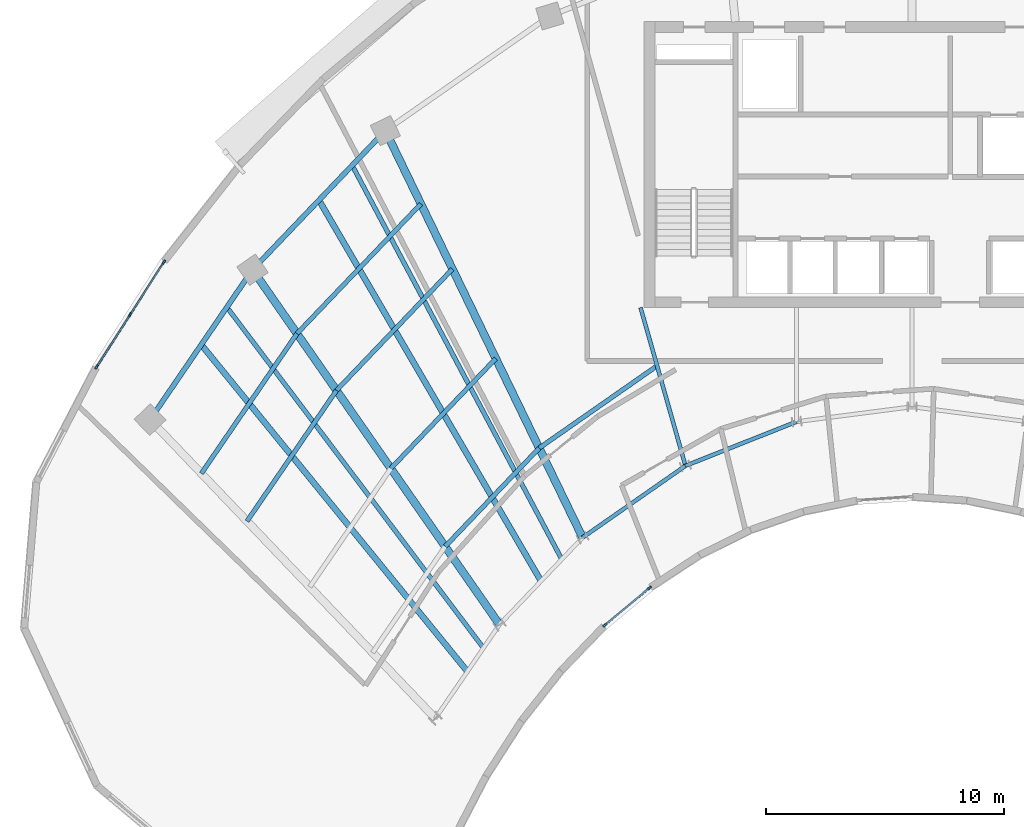
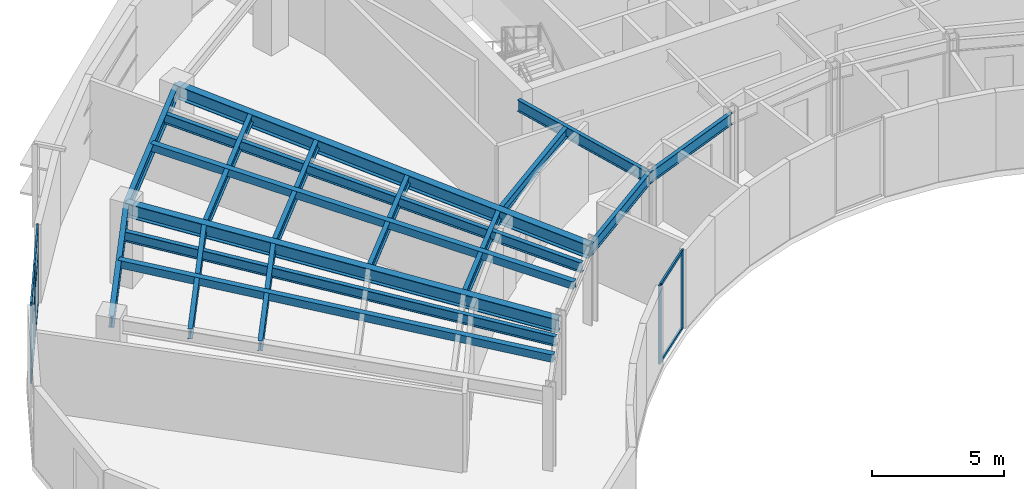
# One storey, part 2 of 13: 18 beams, 13 members, 2 elements without a shape of their own.
"""IFC4 building model written with IfcOpenShell, lengths in metres."""

from ifc_helpers import new_model, si_unit, direction, frame, origin, origin_2d, place, context, subcontext, project, spatial, rectangle, hollow_rectangle, i_section, extrude, source, transform, mapped, material, layer, layer_set, material_profile, profile_set, type_object, type_shapes, element, aggregate, save


model = new_model("IFC4")

# Units and contexts
model_context = context("Model", 3, precision=1e-05, world=origin(), true_north=direction((0.0, 1.0)))
body_context = subcontext(model_context, "Body", "Model", "MODEL_VIEW")
ifc_project = project(units=[si_unit("LENGTHUNIT", "METRE"), si_unit("AREAUNIT", "SQUARE_METRE"), si_unit("VOLUMEUNIT", "CUBIC_METRE"), si_unit("PLANEANGLEUNIT", "RADIAN"), si_unit("MASSUNIT", "GRAM", prefix="KILO")], contexts=[model_context])

# Site, building, storey
site_placement = place(None, origin())
site = spatial("IfcSite", under=ifc_project, at=site_placement, CompositionType="ELEMENT")
building_placement = place(site_placement, origin())
building = spatial("IfcBuilding", under=site, at=building_placement, Name="Breltana Convention Tower", CompositionType="ELEMENT")
storey_placement = place(building_placement, frame((0.0, 0.0, 223.5)))
storey = spatial("IfcBuildingStorey", under=building, at=storey_placement, Name="L54", CompositionType="ELEMENT", Elevation=223.5)

# Beams
ifc_material_1 = material(Name="Steel ASTM A992 Grade 50", Category="steel")
ifc_material_profile_1 = material_profile(ifc_material_1, i_section(OverallWidth=0.19091796875, OverallDepth=0.4599609375, WebThickness=0.010009765625, FlangeThickness=0.01611328125, at=origin_2d()), Name="W18X55")
ifc_profile_set_1 = profile_set([ifc_material_profile_1], Name="Steel ASTM A992 Grade 50")
beam_type_1 = type_object("IfcBeamType", Name="BM-JSG-07", PredefinedType="JOIST", material=ifc_profile_set_1)
shared_shape_1 = source(origin(), body_context, "Body", "SweptSolid", [
    extrude(i_section(OverallWidth=0.19091796875, OverallDepth=0.4599609375, WebThickness=0.010009765625, FlangeThickness=0.01611328125, at=origin_2d()), origin(), (0.0, 0.0, 1.0), 6.654541015625),
])
beam_1_placement = place(storey_placement, frame((20.0791015625, 51.23095703125, 3.409912109375), z_axis=(0.564482668195, 0.82544492082, 0.0), x_axis=(-0.82544492082, 0.564482668195, 0.0)))
element("IfcBeam", 1, at=beam_1_placement, inside=storey, type_object=beam_type_1, Name="L54 Composite Floor Joist 01.3", PredefinedType="JOIST", context=body_context, shape_type="MappedRepresentation", body=[
    mapped(shared_shape_1, transform((0.0, 0.0, 0.0), scale=1.0)),
])
shared_shape_2 = source(origin(), body_context, "Body", "SweptSolid", [
    extrude(i_section(OverallWidth=0.19091796875, OverallDepth=0.4599609375, WebThickness=0.010009765625, FlangeThickness=0.01611328125, at=origin_2d()), origin(), (0.0, 0.0, 1.0), 7.111328125),
])
beam_2_placement = place(storey_placement, frame((18.162841796875, 53.2373046875, 3.409912109375), z_axis=(0.564446356178, 0.825469751715, 0.0), x_axis=(-0.825469751715, 0.564446356178, 0.0)))
element("IfcBeam", 2, at=beam_2_placement, inside=storey, type_object=beam_type_1, Name="L54 Composite Floor Joist 01.4", PredefinedType="JOIST", context=body_context, shape_type="MappedRepresentation", body=[
    mapped(shared_shape_2, transform((0.0, 0.0, 0.0), scale=1.0)),
])
ifc_material_profile_2 = material_profile(ifc_material_1, hollow_rectangle(XDim=0.25, YDim=0.35009765625, WallThickness=0.011962890625, at=origin_2d()), Name="RHS350X250X12")
ifc_profile_set_2 = profile_set([ifc_material_profile_2], Name="Steel ASTM A992 Grade 50")
beam_type_2 = type_object("IfcBeamType", Name="BM-JSG-12", PredefinedType="JOIST", material=ifc_profile_set_2)
shared_shape_3 = source(origin(), body_context, "Body", "SweptSolid", [
    extrude(hollow_rectangle(XDim=0.25, YDim=0.35009765625, WallThickness=0.011962890625, at=origin_2d()), origin(), (0.0, 0.0, 1.0), 17.691650390625),
])
type_shapes(beam_type_2, [shared_shape_3])
beam_3_placement = place(storey_placement, frame((29.330810546875, 44.923583984375, 3.465087890625), z_axis=(-0.631476958478, 0.775394642044, 0.0), x_axis=(-0.775394642044, -0.631476958478, 0.0)))
element("IfcBeam", 3, at=beam_3_placement, inside=storey, type_object=beam_type_2, Name="L54 Mid-Bay Radial Trimmer 01", PredefinedType="JOIST", context=body_context, shape_type="MappedRepresentation", body=[
    mapped(shared_shape_3, transform((0.0, 0.0, 0.0), scale=1.0)),
])
shared_shape_4 = source(origin(), body_context, "Body", "SweptSolid", [
    extrude(i_section(OverallWidth=0.19091796875, OverallDepth=0.4599609375, WebThickness=0.010009765625, FlangeThickness=0.01611328125, at=origin_2d()), origin(), (0.0, 0.0, 1.0), 17.9072265625),
])
beam_4_placement = place(storey_placement, frame((30.00390625, 45.907958984375, 3.409912109375), z_axis=(-0.601382105028, 0.798961553363, 0.0), x_axis=(-0.798961553363, -0.601382105028, 0.0)))
element("IfcBeam", 4, at=beam_4_placement, inside=storey, type_object=beam_type_1, Name="L54 Quarter-Bay Radial Trimmer 01", PredefinedType="JOIST", context=body_context, shape_type="MappedRepresentation", body=[
    mapped(shared_shape_4, transform((0.0, 0.0, 0.0), scale=1.0)),
])
shared_shape_5 = source(origin(), body_context, "Body", "SweptSolid", [
    extrude(i_section(OverallWidth=0.19091796875, OverallDepth=0.4599609375, WebThickness=0.010009765625, FlangeThickness=0.01611328125, at=origin_2d()), origin(), (0.0, 0.0, 1.0), 5.716064453125),
])
beam_5_placement = place(storey_placement, frame((28.396484375, 50.169677734375, 3.409912109375), z_axis=(0.690756060045, 0.723087868458, 0.0), x_axis=(-0.723087868458, 0.690756060045, 0.0)))
element("IfcBeam", 5, at=beam_5_placement, inside=storey, type_object=beam_type_1, Name="L54 Composite Floor Joist 02.1", PredefinedType="JOIST", context=body_context, shape_type="MappedRepresentation", body=[
    mapped(shared_shape_5, transform((0.0, 0.0, 0.0), scale=1.0)),
])
shared_shape_6 = source(origin(), body_context, "Body", "SweptSolid", [
    extrude(i_section(OverallWidth=0.19091796875, OverallDepth=0.4599609375, WebThickness=0.010009765625, FlangeThickness=0.01611328125, at=origin_2d()), origin(), (0.0, 0.0, 1.0), 6.381103515625),
])
beam_6_placement = place(storey_placement, frame((26.115966796875, 53.44677734375, 3.409912109375), z_axis=(0.690737768889, 0.723105341309, 0.0), x_axis=(-0.723105341309, 0.690737768889, 0.0)))
element("IfcBeam", 6, at=beam_6_placement, inside=storey, type_object=beam_type_1, Name="L54 Composite Floor Joist 02.2", PredefinedType="JOIST", context=body_context, shape_type="MappedRepresentation", body=[
    mapped(shared_shape_6, transform((0.0, 0.0, 0.0), scale=1.0)),
])
shared_shape_7 = source(origin(), body_context, "Body", "SweptSolid", [
    extrude(i_section(OverallWidth=0.19091796875, OverallDepth=0.4599609375, WebThickness=0.010009765625, FlangeThickness=0.01611328125, at=origin_2d()), origin(), (0.0, 0.0, 1.0), 7.046142578125),
])
beam_7_placement = place(storey_placement, frame((23.83544921875, 56.723876953125, 3.409912109375), z_axis=(0.690722929904, 0.723119515782, 0.0), x_axis=(-0.723119515782, 0.690722929904, 0.0)))
element("IfcBeam", 7, at=beam_7_placement, inside=storey, type_object=beam_type_1, Name="L54 Composite Floor Joist 02.3", PredefinedType="JOIST", context=body_context, shape_type="MappedRepresentation", body=[
    mapped(shared_shape_7, transform((0.0, 0.0, 0.0), scale=1.0)),
])
shared_shape_8 = source(origin(), body_context, "Body", "SweptSolid", [
    extrude(i_section(OverallWidth=0.19091796875, OverallDepth=0.4599609375, WebThickness=0.010009765625, FlangeThickness=0.01611328125, at=origin_2d()), origin(), (0.0, 0.0, 1.0), 7.529541015625),
])
beam_8_placement = place(storey_placement, frame((22.1767578125, 59.107421875, 3.409912109375), z_axis=(0.690725562031, 0.723117001568, 0.0), x_axis=(-0.723117001568, 0.690725562031, 0.0)))
element("IfcBeam", 8, at=beam_8_placement, inside=storey, type_object=beam_type_1, Name="L54 Composite Floor Joist 02.4", PredefinedType="JOIST", context=body_context, shape_type="MappedRepresentation", body=[
    mapped(shared_shape_8, transform((0.0, 0.0, 0.0), scale=1.0)),
])
shared_shape_9 = source(origin(), body_context, "Body", "SweptSolid", [
    extrude(hollow_rectangle(XDim=0.25, YDim=0.35009765625, WallThickness=0.011962890625, at=origin_2d()), origin(), (0.0, 0.0, 1.0), 18.50830078125),
])
beam_9_placement = place(storey_placement, frame((32.421630859375, 48.71875, 3.465087890625), z_axis=(-0.50368319637, 0.863888440537, 0.0), x_axis=(-0.863888440537, -0.50368319637, 0.0)))
element("IfcBeam", 9, at=beam_9_placement, inside=storey, type_object=beam_type_2, Name="L54 Mid-Bay Radial Trimmer 02", PredefinedType="JOIST", context=body_context, shape_type="MappedRepresentation", body=[
    mapped(shared_shape_9, transform((0.0, 0.0, 0.0), scale=1.0)),
])
shared_shape_10 = source(origin(), body_context, "Body", "SweptSolid", [
    extrude(i_section(OverallWidth=0.19091796875, OverallDepth=0.4599609375, WebThickness=0.010009765625, FlangeThickness=0.01611328125, at=origin_2d()), origin(), (0.0, 0.0, 1.0), 18.731689453125),
])
beam_10_placement = place(storey_placement, frame((33.2939453125, 49.6318359375, 3.409912109375), z_axis=(-0.469820250451, 0.882762104004, 0.0), x_axis=(-0.882762104004, -0.469820250451, 0.0)))
element("IfcBeam", 10, at=beam_10_placement, inside=storey, type_object=beam_type_1, Name="L54 Quarter-Bay Radial Trimmer 02", PredefinedType="JOIST", context=body_context, shape_type="MappedRepresentation", body=[
    mapped(shared_shape_10, transform((0.0, 0.0, 0.0), scale=1.0)),
])
shared_shape_11 = source(origin(), body_context, "Body", "SweptSolid", [
    extrude(i_section(OverallWidth=0.19091796875, OverallDepth=0.4599609375, WebThickness=0.010009765625, FlangeThickness=0.01611328125, at=origin_2d()), origin(), (0.0, 0.0, 1.0), 5.959228515625),
])
beam_11_placement = place(storey_placement, frame((32.344970703125, 54.302978515625, 3.409912109375), z_axis=(0.820160485262, 0.572133531979, 0.0), x_axis=(-0.572133531979, 0.820160485262, 0.0)))
element("IfcBeam", 11, at=beam_11_placement, inside=storey, type_object=beam_type_1, Name="L54 Composite Floor Joist 03.1", PredefinedType="JOIST", context=body_context, shape_type="MappedRepresentation", body=[
    mapped(shared_shape_11, transform((0.0, 0.0, 0.0), scale=1.0)),
])
ifc_material_profile_3 = material_profile(ifc_material_1, i_section(OverallWidth=0.166015625, OverallDepth=0.534912109375, WebThickness=0.01025390625, FlangeThickness=0.0166015625, at=origin_2d()), Name="W21X57")
ifc_profile_set_3 = profile_set([ifc_material_profile_3], Name="Steel ASTM A992 Grade 50")
beam_type_3 = type_object("IfcBeamType", Name="BM-BM-W21X57", PredefinedType="BEAM", material=ifc_profile_set_3)
shared_shape_12 = source(origin(), body_context, "Body", "SweptSolid", [
    extrude(i_section(OverallWidth=0.166015625, OverallDepth=0.534912109375, WebThickness=0.01025390625, FlangeThickness=0.0166015625, at=origin_2d()), origin(), (0.0, 0.0, 1.0), 6.904541015625),
])
type_shapes(beam_type_3, [shared_shape_12])
beam_12_placement = place(storey_placement, frame((36.60009765625, 60.199951171875, 3.37255859375), z_axis=(0.273006781054, -0.962012108811, 0.0), x_axis=(0.962012108811, 0.273006781054, 0.0)))
element("IfcBeam", 12, at=beam_12_placement, inside=storey, type_object=beam_type_3, Name="L54 South Core Tie Girder R04", PredefinedType="BEAM", context=body_context, shape_type="MappedRepresentation", body=[
    mapped(shared_shape_12, transform((0.0, 0.0, 0.0), scale=1.0)),
])
shared_shape_13 = source(origin(), body_context, "Body", "SweptSolid", [
    extrude(i_section(OverallWidth=0.166015625, OverallDepth=0.534912109375, WebThickness=0.01025390625, FlangeThickness=0.0166015625, at=origin_2d()), origin(), (0.0, 0.0, 1.0), 5.265869140625),
])
beam_13_placement = place(storey_placement, frame((34.166259765625, 50.544921875, 3.37255859375), z_axis=(0.820167429517, 0.572123577176, 0.0), x_axis=(-0.572123577176, 0.820167429517, 0.0)))
element("IfcBeam", 13, at=beam_13_placement, inside=storey, type_object=beam_type_3, Name="L54 Inner Ring Beam 03", PredefinedType="BEAM", context=body_context, shape_type="MappedRepresentation", body=[
    mapped(shared_shape_13, transform((0.0, 0.0, 0.0), scale=1.0)),
])
shared_shape_14 = source(origin(), body_context, "Body", "SweptSolid", [
    extrude(i_section(OverallWidth=0.166015625, OverallDepth=0.534912109375, WebThickness=0.01025390625, FlangeThickness=0.0166015625, at=origin_2d()), origin(), (0.0, 0.0, 1.0), 5.022705078125),
])
beam_14_placement = place(storey_placement, frame((38.485107421875, 53.5576171875, 3.37255859375), z_axis=(0.929458966248, 0.368925507469, 0.0), x_axis=(-0.368925507469, 0.929458966248, 0.0)))
element("IfcBeam", 14, at=beam_14_placement, inside=storey, type_object=beam_type_3, Name="L54 Inner Ring Beam 04", PredefinedType="BEAM", context=body_context, shape_type="MappedRepresentation", body=[
    mapped(shared_shape_14, transform((0.0, 0.0, 0.0), scale=1.0)),
])
ifc_material_profile_4 = material_profile(ifc_material_1, i_section(OverallWidth=0.326904296875, OverallDepth=0.6220703125, WebThickness=0.015380859375, FlangeThickness=0.0244140625, at=origin_2d()), Name="W24X131")
ifc_profile_set_4 = profile_set([ifc_material_profile_4], Name="Steel ASTM A992 Grade 50")
beam_type_4 = type_object("IfcBeamType", Name="BM-RG-W24X131", PredefinedType="USERDEFINED", material=ifc_profile_set_4)
shared_shape_15 = source(origin(), body_context, "Body", "SweptSolid", [
    extrude(i_section(OverallWidth=0.326904296875, OverallDepth=0.6220703125, WebThickness=0.015380859375, FlangeThickness=0.0244140625, at=origin_2d()), origin(), (0.0, 0.0, 1.0), 18.1484375),
])
beam_15_placement = place(storey_placement, frame((30.67724609375, 46.892333984375, 3.3291015625), z_axis=(-0.571207556098, 0.820805657788, 0.0), x_axis=(-0.820805657788, -0.571207556098, 0.0)))
element("IfcBeam", 15, at=beam_15_placement, inside=storey, type_object=beam_type_4, Name="L54 Radial Floor Girder R02", ObjectType="GIRDER", PredefinedType="USERDEFINED", context=body_context, shape_type="MappedRepresentation", body=[
    mapped(shared_shape_15, transform((0.0, 0.0, 0.0), scale=1.0)),
])
shared_shape_16 = source(origin(), body_context, "Body", "SweptSolid", [
    extrude(i_section(OverallWidth=0.326904296875, OverallDepth=0.6220703125, WebThickness=0.015380859375, FlangeThickness=0.0244140625, at=origin_2d()), origin(), (0.0, 0.0, 1.0), 18.982421875),
])
beam_16_placement = place(storey_placement, frame((34.166259765625, 50.544921875, 3.3291015625), z_axis=(-0.436118560343, 0.89988921614, 0.0), x_axis=(-0.89988921614, -0.436118560343, 0.0)))
element("IfcBeam", 16, at=beam_16_placement, inside=storey, type_object=beam_type_4, Name="L54 Radial Floor Girder R03", ObjectType="GIRDER", PredefinedType="USERDEFINED", context=body_context, shape_type="MappedRepresentation", body=[
    mapped(shared_shape_16, transform((0.0, 0.0, 0.0), scale=1.0)),
])
ifc_material_profile_5 = material_profile(ifc_material_1, i_section(OverallWidth=0.214111328125, OverallDepth=0.549072265625, WebThickness=0.0146484375, FlangeThickness=0.023681640625, at=origin_2d()), Name="W21X93")
ifc_profile_set_5 = profile_set([ifc_material_profile_5], Name="Steel ASTM A992 Grade 50")
beam_type_5 = type_object("IfcBeamType", Name="BM-SP-W21X93", PredefinedType="SPANDREL", material=ifc_profile_set_5)
shared_shape_17 = source(origin(), body_context, "Body", "SweptSolid", [
    extrude(i_section(OverallWidth=0.214111328125, OverallDepth=0.549072265625, WebThickness=0.0146484375, FlangeThickness=0.023681640625, at=origin_2d()), origin(), (0.0, 0.0, 1.0), 7.625),
])
type_shapes(beam_type_5, [shared_shape_17])
beam_17_placement = place(storey_placement, frame((16.0068359375, 55.494384765625, 3.365478515625), z_axis=(0.564452031902, 0.825465870694, 0.0), x_axis=(-0.825465870694, 0.564452031902, 0.0)))
element("IfcBeam", 17, at=beam_17_placement, inside=storey, type_object=beam_type_5, Name="L54 Outer Spandrel Beam 01", PredefinedType="SPANDREL", context=body_context, shape_type="MappedRepresentation", body=[
    mapped(shared_shape_17, transform((0.0, 0.0, 0.0), scale=1.0)),
])
shared_shape_18 = source(origin(), body_context, "Body", "SweptSolid", [
    extrude(i_section(OverallWidth=0.214111328125, OverallDepth=0.549072265625, WebThickness=0.0146484375, FlangeThickness=0.023681640625, at=origin_2d()), origin(), (0.0, 0.0, 1.0), 8.073974609375),
])
beam_18_placement = place(storey_placement, frame((20.310791015625, 61.78857421875, 3.365478515625), z_axis=(0.69072885448, 0.723113856588, 0.0), x_axis=(-0.723113856588, 0.69072885448, 0.0)))
element("IfcBeam", 18, at=beam_18_placement, inside=storey, type_object=beam_type_5, Name="L54 Outer Spandrel Beam 02", PredefinedType="SPANDREL", context=body_context, shape_type="MappedRepresentation", body=[
    mapped(shared_shape_18, transform((0.0, 0.0, 0.0), scale=1.0)),
])

# Curtain wall, members
ifc_material_2 = material(Name="Aluminium Anodised Bronze Frame", Category="aluminium")
ifc_layer_1 = layer(ifc_material_2, 0.18994140625, Name="Aluminium Anodised Bronze Frame")
ifc_layer_set_1 = layer_set([ifc_layer_1], Name="Aluminium Anodised Bronze Frame")
curtain_wall_type_1 = type_object("IfcCurtainWallType", Name="CW-SYS-1", PredefinedType="NOTDEFINED", material=ifc_layer_set_1)
curtain_wall_1_placement = place(storey_placement, origin())
curtain_wall_1 = element("IfcCurtainWall", 19, at=curtain_wall_1_placement, inside=storey, type_object=curtain_wall_type_1, Name="L54 inner south-court glazing 5", PredefinedType="NOTDEFINED")
ifc_material_3 = material(Name="Aluminium Anodised Bronze", Category="aluminium")
ifc_material_profile_6 = material_profile(ifc_material_3, rectangle(XDim=0.080078125, YDim=0.139892578125, at=origin_2d()), Name="CWT-80X140")
ifc_profile_set_6 = profile_set([ifc_material_profile_6], Name="Aluminium Anodised Bronze")
member_type_1 = type_object("IfcMemberType", Name="CWT-140", PredefinedType="USERDEFINED", material=ifc_profile_set_6)
shared_shape_19 = source(origin(), body_context, "Body", "SweptSolid", [
    extrude(rectangle(XDim=0.080078125, YDim=0.139892578125, at=origin_2d()), origin(), (0.0, 0.0, 1.0), 2.351318359375),
])
member_1_placement = place(storey_placement, frame((36.939208984375, 48.398193359375, 0.0400390625), z_axis=(-0.767931836883, -0.640531571354, 0.0), x_axis=(0.640531571354, -0.767931836883, 0.0)))
member_1 = element("IfcMember", 20, at=member_1_placement, type_object=member_type_1, Name="CW-01 transom 1.1", ObjectType="TRANSOM", PredefinedType="USERDEFINED", context=body_context, shape_type="MappedRepresentation", body=[
    mapped(shared_shape_19, transform((0.0, 0.0, 0.0), scale=1.0)),
])
member_2_placement = place(storey_placement, frame((36.939208984375, 48.398193359375, 3.60009765625), z_axis=(-0.767931836883, -0.640531571354, 0.0), x_axis=(0.640531571354, -0.767931836883, 0.0)))
member_2 = element("IfcMember", 21, at=member_2_placement, type_object=member_type_1, Name="CW-01 transom 1.2", ObjectType="TRANSOM", PredefinedType="USERDEFINED", context=body_context, shape_type="MappedRepresentation", body=[
    mapped(shared_shape_19, transform((0.0, 0.0, 0.0), scale=1.0)),
])
ifc_material_profile_7 = material_profile(ifc_material_3, rectangle(XDim=0.080078125, YDim=0.199951171875, at=origin_2d()), Name="CWM-80X200")
ifc_profile_set_7 = profile_set([ifc_material_profile_7], Name="Aluminium Anodised Bronze")
member_type_2 = type_object("IfcMemberType", Name="CWM-200", PredefinedType="MULLION", material=ifc_profile_set_7)
shared_shape_20 = source(origin(), body_context, "Body", "SweptSolid", [
    extrude(rectangle(XDim=0.080078125, YDim=0.199951171875, at=origin_2d()), origin(), (0.0, 0.0, 1.0), 3.639892578125),
])
member_3_placement = place(storey_placement, frame((36.969970703125, 48.423828125, 0.0), z_axis=(0.0, 0.0, 1.0), x_axis=(0.640540750309, -0.767924180628, 0.0)))
member_3 = element("IfcMember", 22, at=member_3_placement, type_object=member_type_2, Name="CW-01 mullion 1", PredefinedType="MULLION", context=body_context, shape_type="MappedRepresentation", body=[
    mapped(shared_shape_20, transform((0.0, 0.0, 0.0), scale=1.0)),
])
member_4_placement = place(storey_placement, frame((35.10302734375, 46.866455078125, 0.0), z_axis=(0.0, 0.0, 1.0), x_axis=(0.640540750309, -0.767924180628, 0.0)))
member_4 = element("IfcMember", 23, at=member_4_placement, type_object=member_type_2, Name="CW-01 mullion 2", PredefinedType="MULLION", context=body_context, shape_type="MappedRepresentation", body=[
    mapped(shared_shape_20, transform((0.0, 0.0, 0.0), scale=1.0)),
])
aggregate(curtain_wall_1, [member_3, member_4, member_1, member_2])

ifc_layer_2 = layer(ifc_material_2, 0.219970703125, Name="Aluminium Anodised Bronze Frame")
ifc_layer_set_2 = layer_set([ifc_layer_2], Name="Aluminium Anodised Bronze Frame")
curtain_wall_type_2 = type_object("IfcCurtainWallType", Name="CW-SYS-4", PredefinedType="NOTDEFINED", material=ifc_layer_set_2)
curtain_wall_2_placement = place(storey_placement, origin())
curtain_wall_2 = element("IfcCurtainWall", 24, at=curtain_wall_2_placement, inside=storey, type_object=curtain_wall_type_2, Name="L54 outer double-skin inner glazing 1", PredefinedType="NOTDEFINED")
member_5_placement = place(storey_placement, frame((13.76611328125, 57.710693359375, 0.0), z_axis=(0.0, 0.0, 1.0), x_axis=(-0.84154835428, 0.540181791075, 0.0)))
member_5 = element("IfcMember", 25, at=member_5_placement, type_object=member_type_2, Name="CW-04 mullion 1", PredefinedType="MULLION", context=body_context, shape_type="MappedRepresentation", body=[
    mapped(shared_shape_20, transform((0.0, 0.0, 0.0), scale=1.0)),
])
member_6_placement = place(storey_placement, frame((15.1767578125, 59.908203125, 0.0), z_axis=(0.0, 0.0, 1.0), x_axis=(-0.84154835428, 0.540181791075, 0.0)))
member_6 = element("IfcMember", 26, at=member_6_placement, type_object=member_type_2, Name="CW-04 mullion 2", PredefinedType="MULLION", context=body_context, shape_type="MappedRepresentation", body=[
    mapped(shared_shape_20, transform((0.0, 0.0, 0.0), scale=1.0)),
])
member_7_placement = place(storey_placement, frame((16.58740234375, 62.10595703125, 0.0), z_axis=(0.0, 0.0, 1.0), x_axis=(-0.84154835428, 0.540181791075, 0.0)))
member_7 = element("IfcMember", 27, at=member_7_placement, type_object=member_type_2, Name="CW-04 mullion 3", PredefinedType="MULLION", context=body_context, shape_type="MappedRepresentation", body=[
    mapped(shared_shape_20, transform((0.0, 0.0, 0.0), scale=1.0)),
])
ifc_material_profile_8 = material_profile(ifc_material_3, rectangle(XDim=0.070068359375, YDim=0.1201171875, at=origin_2d()), Name="CWT-70X120")
ifc_profile_set_8 = profile_set([ifc_material_profile_8], Name="Aluminium Anodised Bronze")
member_type_3 = type_object("IfcMemberType", Name="CWT-120", PredefinedType="USERDEFINED", material=ifc_profile_set_8)
shared_shape_21 = source(origin(), body_context, "Body", "SweptSolid", [
    extrude(rectangle(XDim=0.070068359375, YDim=0.1201171875, at=origin_2d()), origin(), (0.0, 0.0, 1.0), 2.531494140625),
])
member_8_placement = place(storey_placement, frame((13.787841796875, 57.744384765625, 0.034912109375), z_axis=(0.540172540617, 0.841554291988, 0.0), x_axis=(-0.841554291988, 0.540172540617, 0.0)))
member_8 = element("IfcMember", 28, at=member_8_placement, type_object=member_type_3, Name="CW-04 transom 1.1", ObjectType="TRANSOM", PredefinedType="USERDEFINED", context=body_context, shape_type="MappedRepresentation", body=[
    mapped(shared_shape_21, transform((0.0, 0.0, 0.0), scale=1.0)),
])
member_9_placement = place(storey_placement, frame((13.787841796875, 57.744384765625, 2.365966796875), z_axis=(0.540172540617, 0.841554291988, 0.0), x_axis=(-0.841554291988, 0.540172540617, 0.0)))
member_9 = element("IfcMember", 29, at=member_9_placement, type_object=member_type_3, Name="CW-04 transom 1.2", ObjectType="TRANSOM", PredefinedType="USERDEFINED", context=body_context, shape_type="MappedRepresentation", body=[
    mapped(shared_shape_21, transform((0.0, 0.0, 0.0), scale=1.0)),
])
member_10_placement = place(storey_placement, frame((13.787841796875, 57.744384765625, 3.60498046875), z_axis=(0.540172540617, 0.841554291988, 0.0), x_axis=(-0.841554291988, 0.540172540617, 0.0)))
member_10 = element("IfcMember", 30, at=member_10_placement, type_object=member_type_3, Name="CW-04 transom 1.3", ObjectType="TRANSOM", PredefinedType="USERDEFINED", context=body_context, shape_type="MappedRepresentation", body=[
    mapped(shared_shape_21, transform((0.0, 0.0, 0.0), scale=1.0)),
])
member_11_placement = place(storey_placement, frame((15.198486328125, 59.94189453125, 0.034912109375), z_axis=(0.540172540617, 0.841554291988, 0.0), x_axis=(-0.841554291988, 0.540172540617, 0.0)))
member_11 = element("IfcMember", 31, at=member_11_placement, type_object=member_type_3, Name="CW-04 transom 2.1", ObjectType="TRANSOM", PredefinedType="USERDEFINED", context=body_context, shape_type="MappedRepresentation", body=[
    mapped(shared_shape_21, transform((0.0, 0.0, 0.0), scale=1.0)),
])
member_12_placement = place(storey_placement, frame((15.198486328125, 59.94189453125, 2.365966796875), z_axis=(0.540172540617, 0.841554291988, 0.0), x_axis=(-0.841554291988, 0.540172540617, 0.0)))
member_12 = element("IfcMember", 32, at=member_12_placement, type_object=member_type_3, Name="CW-04 transom 2.2", ObjectType="TRANSOM", PredefinedType="USERDEFINED", context=body_context, shape_type="MappedRepresentation", body=[
    mapped(shared_shape_21, transform((0.0, 0.0, 0.0), scale=1.0)),
])
member_13_placement = place(storey_placement, frame((15.198486328125, 59.94189453125, 3.60498046875), z_axis=(0.540172540617, 0.841554291988, 0.0), x_axis=(-0.841554291988, 0.540172540617, 0.0)))
member_13 = element("IfcMember", 33, at=member_13_placement, type_object=member_type_3, Name="CW-04 transom 2.3", ObjectType="TRANSOM", PredefinedType="USERDEFINED", context=body_context, shape_type="MappedRepresentation", body=[
    mapped(shared_shape_21, transform((0.0, 0.0, 0.0), scale=1.0)),
])
aggregate(curtain_wall_2, [member_5, member_6, member_7, member_8, member_9, member_10, member_11, member_12, member_13])

save(model, "model.ifc")
